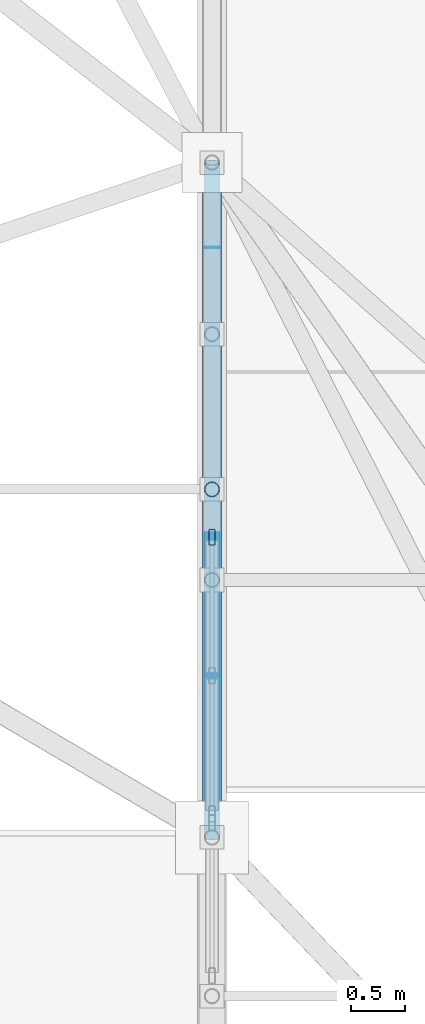
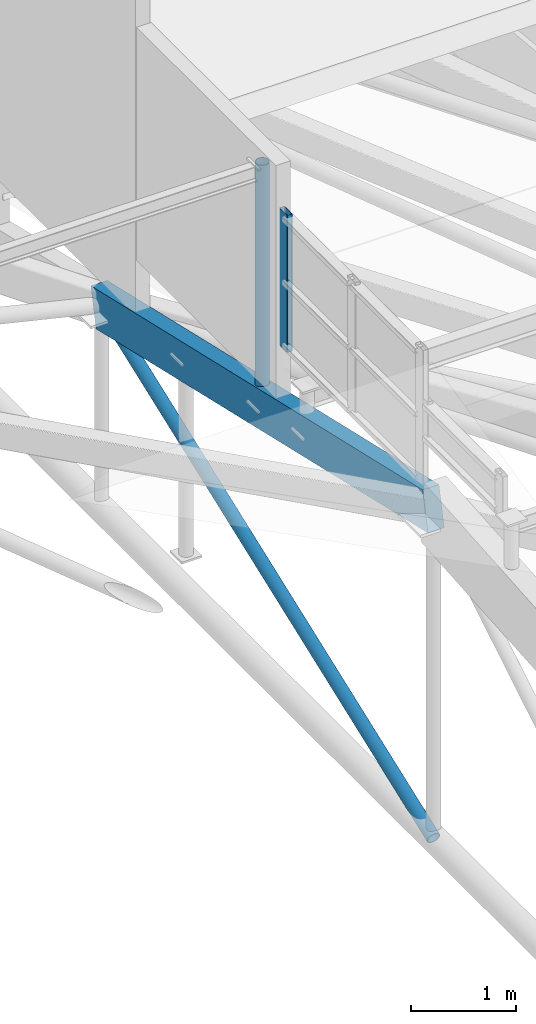
# One storey, part 21 of 188: 4 members, 1 element without a shape of its own.
"""IFC4 building model written with IfcOpenShell, lengths in metres."""

from ifc_helpers import new_model, si_unit, direction, frame, origin, origin_2d, place, context, subcontext, project, spatial, rectangle, hollow_rectangle, hollow_circle, extrude, material, layer, layer_set, material_profile, profile_set, type_object, element, aggregate, save


model = new_model("IFC4")

# Units and contexts
model_context = context("Model", 3, precision=1e-05, world=origin(), true_north=direction((0.0, 1.0)))
body_context = subcontext(model_context, "Body", "Model", "MODEL_VIEW")
ifc_project = project(units=[si_unit("LENGTHUNIT", "METRE"), si_unit("AREAUNIT", "SQUARE_METRE"), si_unit("VOLUMEUNIT", "CUBIC_METRE"), si_unit("PLANEANGLEUNIT", "RADIAN"), si_unit("MASSUNIT", "GRAM", prefix="KILO")], contexts=[model_context])

# Site, building, storey
site_placement = place(None, origin())
site = spatial("IfcSite", under=ifc_project, at=site_placement, CompositionType="ELEMENT")
building_placement = place(site_placement, origin())
building = spatial("IfcBuilding", under=site, at=building_placement, Name="Kisaragi Civic Commons", CompositionType="ELEMENT")
storey_placement = place(building_placement, frame((0.0, 0.0, 9.60009765625)))
storey = spatial("IfcBuildingStorey", under=building, at=storey_placement, Name="L02", CompositionType="ELEMENT", Elevation=9.60009765625)

# Curtain wall, member
ifc_material_1 = material(Name="Thermally broken anodized aluminium and low-E double glazing", Category="aluminium")
ifc_layer = layer(ifc_material_1, 0.14990234375, Name="Thermally broken anodized aluminium and low-E double glazing", Category="aluminium")
ifc_layer_set = layer_set([ifc_layer], Name="Thermally broken anodized aluminium and low-E double glazing")
curtain_wall_type = type_object("IfcCurtainWallType", Name="CW-03", PredefinedType="NOTDEFINED", material=ifc_layer_set)
curtain_wall_placement = place(storey_placement, origin())
curtain_wall = element("IfcCurtainWall", 1, at=curtain_wall_placement, inside=storey, type_object=curtain_wall_type, Name="L02 curtain wall CW-03 CW-CL-V1-168", PredefinedType="NOTDEFINED")
ifc_material_profile_1 = material_profile(ifc_material_1, hollow_rectangle(XDim=0.06005859375, YDim=0.14990234375, WallThickness=0.00390625, InnerFilletRadius=0.00390625, OuterFilletRadius=0.008056640625, at=origin_2d()), Name="CWM-60x150x4", Category="aluminium")
ifc_profile_set_1 = profile_set([ifc_material_profile_1], Name="Thermally broken anodized aluminium and low-E double glazing")
member_type_1 = type_object("IfcMemberType", Name="CWM-01", PredefinedType="MULLION", material=ifc_profile_set_1)
member_1_placement = place(storey_placement, frame((27.199951171875, 23.3056640625, 3.515625), z_axis=(0.0, 0.0, 1.0), x_axis=(-1.0, 0.0, 0.0)))
member_1 = element("IfcMember", 2, at=member_1_placement, type_object=member_type_1, Name="CW-03 mullion 3", PredefinedType="MULLION", context=body_context, shape_type="SweptSolid", body=[
    extrude(hollow_rectangle(XDim=0.06005859375, YDim=0.14990234375, WallThickness=0.00390625, InnerFilletRadius=0.00390625, OuterFilletRadius=0.008056640625, at=origin_2d()), origin(), (0.0, 0.0, 1.0), 1.5888671875),
])
aggregate(curtain_wall, [member_1])

# Members
ifc_material_2 = material(Name="Glulam E120-F330", Category="wood")
ifc_material_profile_2 = material_profile(ifc_material_2, rectangle(XDim=0.179931640625, YDim=0.449951171875, at=origin_2d()), Name="GL-180x450", Category="wood")
ifc_profile_set_2 = profile_set([ifc_material_profile_2], Name="Glulam E120-F330")
member_type_2 = type_object("IfcMemberType", Name="GR-05", PredefinedType="RAFTER", material=ifc_profile_set_2)
member_2_placement = place(storey_placement, frame((27.199951171875, 20.506103515625, 3.351806640625), z_axis=(0.0, 0.974355514502, -0.225014069248), x_axis=(-1.0, 0.0, 0.0)))
element("IfcMember", 3, at=member_2_placement, inside=storey, type_object=member_type_2, Name="V1 glulam arch rib GR-05 36", PredefinedType="RAFTER", context=body_context, shape_type="SweptSolid", body=[
    extrude(rectangle(XDim=0.179931640625, YDim=0.449951171875, at=origin_2d()), origin(), (0.0, 0.0, 1.0), 6.460205078125),
])
ifc_material_3 = material(Name="Steel SN490 (SN490B)", Category="steel")
ifc_material_profile_3 = material_profile(ifc_material_3, hollow_circle(Radius=0.06982421875, WallThickness=0.006103515625, at=origin_2d()), Name="CHS-139.8x6.0", Category="steel")
ifc_profile_set_3 = profile_set([ifc_material_profile_3], Name="Steel SN490 (SN490B)")
member_type_3 = type_object("IfcMemberType", Name="ST-H1", PredefinedType="STRUT", material=ifc_profile_set_3)
member_3_placement = place(storey_placement, frame((27.199951171875, 20.506103515625, -0.458984375), z_axis=(0.0, 0.93648731276, 0.350701458564), x_axis=(-1.0, 0.0, 0.0)))
element("IfcMember", 4, at=member_3_placement, inside=storey, type_object=member_type_3, Name="V1 tied arch truss diagonal web strut 65", PredefinedType="STRUT", context=body_context, shape_type="SweptSolid", body=[
    extrude(hollow_circle(Radius=0.06982421875, WallThickness=0.006103515625, at=origin_2d()), origin(), (0.0, 0.0, 1.0), 6.721435546875),
])
member_4_placement = place(storey_placement, frame((27.199951171875, 23.75244140625, 2.60205078125), z_axis=(0.0, 0.0, 1.0), x_axis=(1.0, 0.0, 0.0)))
element("IfcMember", 5, at=member_4_placement, inside=storey, type_object=member_type_3, Name="V1 clerestory monitor horizontal tie strut 4.4.4", PredefinedType="STRUT", context=body_context, shape_type="SweptSolid", body=[
    extrude(hollow_circle(Radius=0.06982421875, WallThickness=0.006103515625, at=origin_2d()), origin(), (0.0, 0.0, 1.0), 2.803466796875),
])

save(model, "model.ifc")
